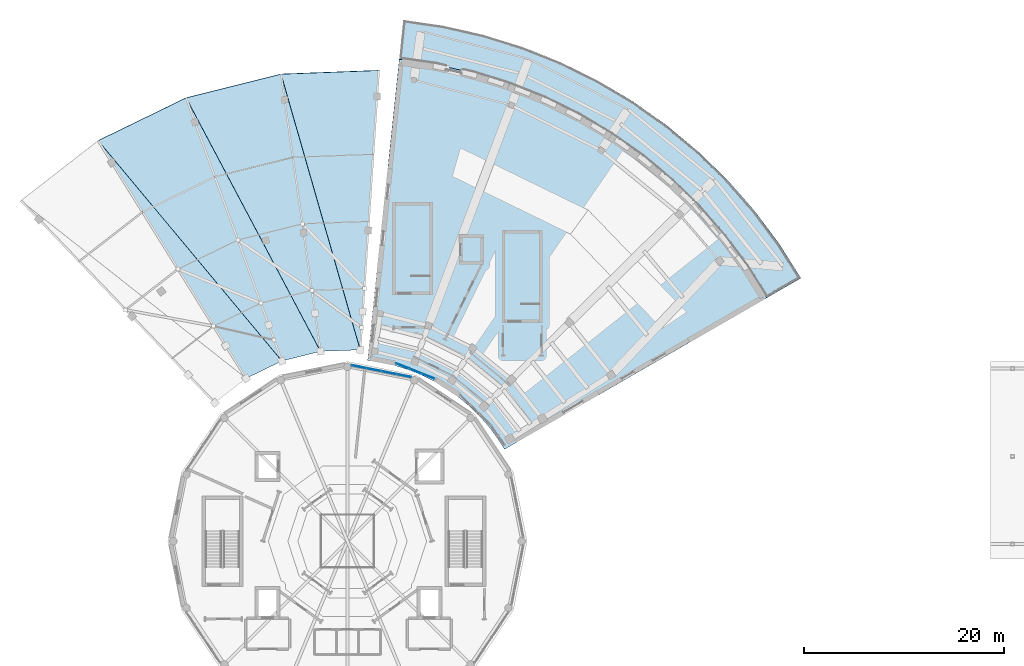
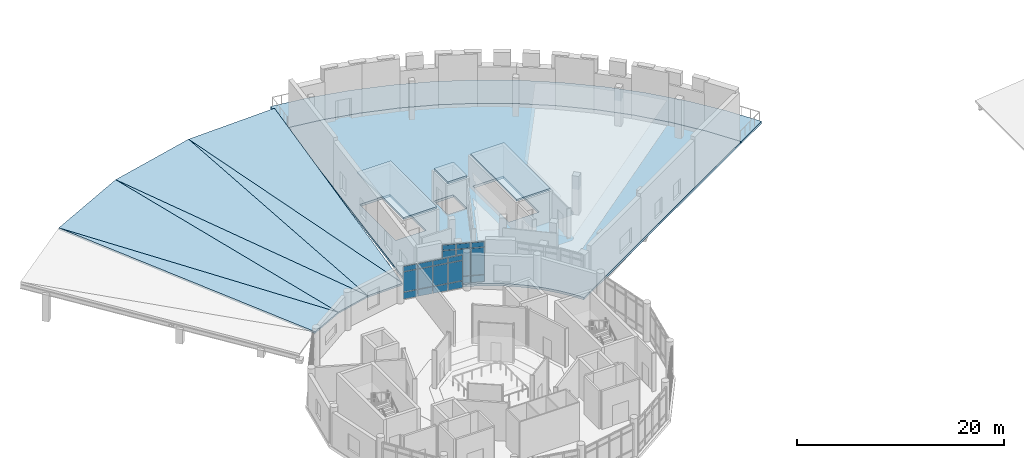
# One storey, part 18 of 27: 21 plates, 11 slabs, 2 elements without a shape of their own.
"""IFC4 building model written with IfcOpenShell, lengths in metres."""

import ifcopenshell
import ifcopenshell.guid

model = None  # the IFC model being written
_history = None  # IfcOwnerHistory: only IFC2X3 demands one
_inside = {}  # id of a spatial element -> (the spatial element, [elements in it])
_under = {}  # id of a project, library or spatial element -> (it, [spatial elements below it])
_declared = {}  # id of a project -> (the project, [libraries it declares])
_typed = {}  # id of a type object -> (the type object, [elements of that type])
_made_of = {}  # id of a material, layer set ... -> (it, [elements and type objects made of it])


def new_model(schema):
    """Start an empty IFC model of exactly this schema.

    Asked for "IFC4X3", IfcOpenShell would pick the latest addendum, in which some entities
    have other attributes; the version numbers below select the first issue.
    IFC2X3 requires an IfcOwnerHistory on every rooted entity: one is made here for all.
    """
    global model, _history
    if schema == "IFC4X3":
        model = ifcopenshell.file(schema_version=(4, 3, 0, 0))
    else:
        model = ifcopenshell.file(schema=schema)
    _inside.clear()
    _under.clear()
    _declared.clear()
    _typed.clear()
    _made_of.clear()
    _history = None
    if model.schema == "IFC2X3":
        org = make("IfcOrganization", Name="unknown")
        user = make(
            "IfcPersonAndOrganization",
            ThePerson=make("IfcPerson", FamilyName="unknown"),
            TheOrganization=org,
        )
        app = make(
            "IfcApplication",
            ApplicationDeveloper=org,
            Version="unknown",
            ApplicationFullName="unknown",
            ApplicationIdentifier="unknown",
        )
        _history = make(
            "IfcOwnerHistory",
            OwningUser=user,
            OwningApplication=app,
            ChangeAction="ADDED",
            CreationDate=0,
        )
    return model


def make(cls, **values):
    """One entity of the class cls with the attributes given. An attribute that is None is left unset."""
    return model.create_entity(
        cls, **{name: value for name, value in values.items() if value is not None}
    )


def rooted(cls, **values):
    """An entity with a GlobalId (a new one), such as an element, a storey or a relation."""
    return make(cls, GlobalId=ifcopenshell.guid.new(), OwnerHistory=_history, **values)


def si_unit(unit_type, name, prefix=None):
    """IfcSIUnit, for example si_unit("LENGTHUNIT", "METRE", prefix="MILLI")."""
    return make("IfcSIUnit", UnitType=unit_type, Prefix=prefix, Name=name)


def assignment(units):
    """IfcUnitAssignment: the units of a project."""
    return None if units is None else make("IfcUnitAssignment", Units=units)


def point(xyz):
    """IfcCartesianPoint."""
    return None if xyz is None else make("IfcCartesianPoint", Coordinates=xyz)


def direction(xyz):
    """IfcDirection."""
    return None if xyz is None else make("IfcDirection", DirectionRatios=xyz)


def frame(location, z_axis=None, x_axis=None):
    """IfcAxis2Placement3D, a coordinate frame: its origin and axes. An axis left out is left unset."""
    return make(
        "IfcAxis2Placement3D",
        Location=point(location),
        Axis=direction(z_axis),
        RefDirection=direction(x_axis),
    )


def frame_2d(location, x_axis=None):
    """IfcAxis2Placement2D, a coordinate frame in the plane: its origin and x axis."""
    return make(
        "IfcAxis2Placement2D", Location=point(location), RefDirection=direction(x_axis)
    )


def origin():
    """The frame at (0, 0, 0) with its axes left unset."""
    return frame((0.0, 0.0, 0.0))


def origin_2d():
    """The frame at (0, 0) in the plane with its x axis left unset."""
    return frame_2d((0.0, 0.0))


def place(relative_to, where):
    """IfcLocalPlacement: puts the frame where relative to a parent placement (None: the world)."""
    return make(
        "IfcLocalPlacement", PlacementRelTo=relative_to, RelativePlacement=where
    )


def context(
    kind, dimensions, precision=None, world=None, true_north=None, identifier=None
):
    """IfcGeometricRepresentationContext, for example the 3D "Model" context."""
    return make(
        "IfcGeometricRepresentationContext",
        ContextIdentifier=identifier,
        ContextType=kind,
        CoordinateSpaceDimension=dimensions,
        Precision=precision,
        WorldCoordinateSystem=world,
        TrueNorth=true_north,
    )


def subcontext(parent, identifier, kind, view, scale=None):
    """IfcGeometricRepresentationSubContext, for example "Body" below "Model"."""
    return make(
        "IfcGeometricRepresentationSubContext",
        ContextIdentifier=identifier,
        ContextType=kind,
        ParentContext=parent,
        TargetScale=scale,
        TargetView=view,
    )


def project(units=None, contexts=None):
    """IfcProject with its units and contexts."""
    return rooted(
        "IfcProject",
        Name="project",
        RepresentationContexts=contexts,
        UnitsInContext=assignment(units),
    )


def spatial(cls, under=None, at=None, **own):
    """A site, building, storey or space (cls), placed at a placement, below another one or the project."""
    s = rooted(cls, ObjectPlacement=at, **own)
    if under is not None:
        _under.setdefault(under.id(), (under, []))[1].append(s)
    return s


def polyline(points):
    """IfcPolyline through the points."""
    return make("IfcPolyline", Points=[point(p) for p in points])


def profile(cls, at=None, kind="AREA", **sizes):
    """A parametric profile (cls). Its sizes go by their IFC names, for example OverallWidth=200.0."""
    return make(cls, ProfileType=kind, Position=at, **sizes)


def rectangle(**sizes):
    """IfcRectangleProfileDef."""
    return profile("IfcRectangleProfileDef", **sizes)


def outline(outer, holes=None, kind="AREA"):
    """IfcArbitraryClosedProfileDef: a profile drawn as a closed curve; with holes, ...WithVoids."""
    if holes is None:
        return make("IfcArbitraryClosedProfileDef", ProfileType=kind, OuterCurve=outer)
    return make(
        "IfcArbitraryProfileDefWithVoids",
        ProfileType=kind,
        OuterCurve=outer,
        InnerCurves=holes,
    )


def extrude(swept, where, along, depth):
    """IfcExtrudedAreaSolid: the profile swept, set in the frame where, extruded along a direction by depth."""
    return make(
        "IfcExtrudedAreaSolid",
        SweptArea=swept,
        Position=where,
        ExtrudedDirection=direction(along),
        Depth=depth,
    )


def shape(context_of_items, identifier, shape_type, items):
    """IfcShapeRepresentation: the items that make up one representation, for example the "Body"."""
    return make(
        "IfcShapeRepresentation",
        ContextOfItems=context_of_items,
        RepresentationIdentifier=identifier,
        RepresentationType=shape_type,
        Items=items,
    )


def material(Name=None, Category=None):
    """IfcMaterial."""
    return make("IfcMaterial", Name=Name, Category=Category)


def layer(
    of_material, thickness, ventilated=None, Name=None, Category=None, Priority=None
):
    """IfcMaterialLayer: one layer of a wall or slab, of a material (None: an air gap)."""
    return make(
        "IfcMaterialLayer",
        Material=of_material,
        LayerThickness=thickness,
        IsVentilated=ventilated,
        Name=Name,
        Category=Category,
        Priority=Priority,
    )


def layer_set(layers, Name=None):
    """IfcMaterialLayerSet."""
    return make("IfcMaterialLayerSet", MaterialLayers=layers, LayerSetName=Name)


def made_of(thing, what):
    """Note that an element or type object is made of a material, layer set ...; save() writes the relation."""
    if what is not None:
        _made_of.setdefault(what.id(), (what, []))[1].append(thing)
    return thing


def type_object(cls, material=None, **own):
    """A type object (cls), such as IfcWallType, which elements share."""
    return made_of(rooted(cls, **own), material)


def element(
    cls,
    number,
    at=None,
    inside=None,
    cuts=None,
    type_object=None,
    material=None,
    context=None,
    identifier="Body",
    shape_type=None,
    held_by="IfcProductDefinitionShape",
    body=None,
    shapes=None,
    **own,
):
    """One element of the class cls, such as IfcWall. Its Tag is "e" and its number.

    at: its placement. inside: the storey or other place that contains it. cuts: it is an
    opening in that element (IfcRelVoidsElement). A single representation is given by context,
    identifier, shape_type and body (its items); several are given by shapes. held_by: the class
    of the entity that holds the representations. save() writes the other relations.
    """
    e = rooted(cls, Tag="e%d" % number, ObjectPlacement=at, **own)
    if body is not None:
        shapes = [shape(context, identifier, shape_type, body)]
    if shapes is not None:
        e.Representation = make(held_by, Representations=shapes)
    if inside is not None:
        _inside.setdefault(inside.id(), (inside, []))[1].append(e)
    if cuts is not None:
        rooted(
            "IfcRelVoidsElement", RelatingBuildingElement=cuts, RelatedOpeningElement=e
        )
    if type_object is not None:
        _typed.setdefault(type_object.id(), (type_object, []))[1].append(e)
    return made_of(e, material)


def aggregate(whole, parts):
    """IfcRelAggregates: a whole, such as a stair, and the parts it consists of."""
    return rooted("IfcRelAggregates", RelatingObject=whole, RelatedObjects=parts)


def save(model, path):
    """Write the relations noted so far, then the file.

    IfcRelAggregates (storeys below a building ...), IfcRelContainedInSpatialStructure (elements
    in a storey), IfcRelDefinesByType, IfcRelAssociatesMaterial and IfcRelDeclares: one each for
    every whole, place, type object, material and project.
    """
    for whole, parts in _under.values():
        aggregate(whole, parts)
    for where, things in _inside.values():
        rooted(
            "IfcRelContainedInSpatialStructure",
            RelatedElements=things,
            RelatingStructure=where,
        )
    for kind, things in _typed.values():
        rooted("IfcRelDefinesByType", RelatedObjects=things, RelatingType=kind)
    for what, things in _made_of.values():
        rooted("IfcRelAssociatesMaterial", RelatedObjects=things, RelatingMaterial=what)
    for by, libraries in _declared.values():
        rooted("IfcRelDeclares", RelatingContext=by, RelatedDefinitions=libraries)
    model.write(path)


model = new_model("IFC4")

# Units and contexts
model_context = context("Model", 3, precision=1e-05, world=origin(), true_north=direction((0.0, 1.0)))
body_context = subcontext(model_context, "Body", "Model", "MODEL_VIEW")
ifc_project = project(units=[si_unit("LENGTHUNIT", "METRE"), si_unit("AREAUNIT", "SQUARE_METRE"), si_unit("VOLUMEUNIT", "CUBIC_METRE"), si_unit("PLANEANGLEUNIT", "RADIAN"), si_unit("MASSUNIT", "GRAM", prefix="KILO")], contexts=[model_context])

# Site, building, storey
site_placement = place(None, origin())
site = spatial("IfcSite", under=ifc_project, at=site_placement, CompositionType="ELEMENT")
building_placement = place(site_placement, origin())
building = spatial("IfcBuilding", under=site, at=building_placement, Name="Soyqirgoq Riverine Aquarium", CompositionType="ELEMENT")
storey_placement = place(building_placement, frame((0.0, 0.0, 19.800048828125)))
storey = spatial("IfcBuildingStorey", under=building, at=storey_placement, Name="L05", CompositionType="ELEMENT", Elevation=19.800048828125)

# Curtain wall, plates
ifc_material_1 = material(Name="Anodised aluminium thermally broken triple low-E glazing", Category="aluminium")
curtain_wall_type_1 = type_object("IfcCurtainWallType", Name="CW_DrumGallery_Unitised", PredefinedType="NOTDEFINED", material=ifc_material_1)
curtain_wall_1_placement = place(storey_placement, origin())
curtain_wall_1 = element("IfcCurtainWall", 1, at=curtain_wall_1_placement, inside=storey, type_object=curtain_wall_type_1, Name="V1 L05 Curtain Wall 016", PredefinedType="NOTDEFINED")
ifc_material_2 = material(Name="Triple insulated laminated low-E glass", Category="glass")
ifc_layer_1 = layer(ifc_material_2, 0.0458984375)
ifc_layer_set_1 = layer_set([ifc_layer_1], Name="Triple insulated laminated low-E glass")
plate_type_1 = type_object("IfcPlateType", Name="CWGlazedPanel_46", PredefinedType="CURTAIN_PANEL", material=ifc_layer_set_1)
plate_1_placement = place(storey_placement, frame((61.6474609375, 73.57666015625, 0.074951171875), z_axis=(0.0, 0.0, 1.0), x_axis=(-0.980787663396, 0.19507834152, 0.0)))
plate_1 = element("IfcPlate", 2, at=plate_1_placement, type_object=plate_type_1, Name="CW-01 panel 1.1", PredefinedType="CURTAIN_PANEL", context=body_context, shape_type="SweptSolid", body=[
    extrude(rectangle(XDim=1.449951171875, YDim=0.0458984375, at=origin_2d()), origin(), (0.0, 0.0, 1.0), 0.78759765625),
])
plate_2_placement = place(storey_placement, frame((61.6474609375, 73.57666015625, 0.9375), z_axis=(0.0, 0.0, 1.0), x_axis=(-0.980787663396, 0.19507834152, 0.0)))
plate_2 = element("IfcPlate", 3, at=plate_2_placement, type_object=plate_type_1, Name="CW-01 panel 1.2", PredefinedType="CURTAIN_PANEL", context=body_context, shape_type="SweptSolid", body=[
    extrude(rectangle(XDim=1.449951171875, YDim=0.0458984375, at=origin_2d()), origin(), (0.0, 0.0, 1.0), 2.324951171875),
])
plate_3_placement = place(storey_placement, frame((61.6474609375, 73.57666015625, 3.33740234375), z_axis=(0.0, 0.0, 1.0), x_axis=(-0.980787663396, 0.19507834152, 0.0)))
plate_3 = element("IfcPlate", 4, at=plate_3_placement, type_object=plate_type_1, Name="CW-01 panel 1.3", PredefinedType="CURTAIN_PANEL", context=body_context, shape_type="SweptSolid", body=[
    extrude(rectangle(XDim=1.449951171875, YDim=0.0458984375, at=origin_2d()), origin(), (0.0, 0.0, 1.0), 0.58740234375),
])
plate_4_placement = place(storey_placement, frame((60.1455078125, 73.87548828125, 0.074951171875), z_axis=(0.0, 0.0, 1.0), x_axis=(-0.980787663396, 0.19507834152, 0.0)))
plate_4 = element("IfcPlate", 5, at=plate_4_placement, type_object=plate_type_1, Name="CW-01 panel 2.1", PredefinedType="CURTAIN_PANEL", context=body_context, shape_type="SweptSolid", body=[
    extrude(rectangle(XDim=1.482421875, YDim=0.0458984375, at=origin_2d()), origin(), (0.0, 0.0, 1.0), 0.78759765625),
])
plate_5_placement = place(storey_placement, frame((60.1455078125, 73.87548828125, 0.9375), z_axis=(0.0, 0.0, 1.0), x_axis=(-0.980787663396, 0.19507834152, 0.0)))
plate_5 = element("IfcPlate", 6, at=plate_5_placement, type_object=plate_type_1, Name="CW-01 panel 2.2", PredefinedType="CURTAIN_PANEL", context=body_context, shape_type="SweptSolid", body=[
    extrude(rectangle(XDim=1.482421875, YDim=0.0458984375, at=origin_2d()), origin(), (0.0, 0.0, 1.0), 2.324951171875),
])
plate_6_placement = place(storey_placement, frame((60.1455078125, 73.87548828125, 3.33740234375), z_axis=(0.0, 0.0, 1.0), x_axis=(-0.980787663396, 0.19507834152, 0.0)))
plate_6 = element("IfcPlate", 7, at=plate_6_placement, type_object=plate_type_1, Name="CW-01 panel 2.3", PredefinedType="CURTAIN_PANEL", context=body_context, shape_type="SweptSolid", body=[
    extrude(rectangle(XDim=1.482421875, YDim=0.0458984375, at=origin_2d()), origin(), (0.0, 0.0, 1.0), 0.58740234375),
])
plate_7_placement = place(storey_placement, frame((58.6279296875, 74.17724609375, 0.074951171875), z_axis=(0.0, 0.0, 1.0), x_axis=(-0.980787663396, 0.19507834152, 0.0)))
plate_7 = element("IfcPlate", 8, at=plate_7_placement, type_object=plate_type_1, Name="CW-01 panel 3.1", PredefinedType="CURTAIN_PANEL", context=body_context, shape_type="SweptSolid", body=[
    extrude(rectangle(XDim=1.482421875, YDim=0.0458984375, at=origin_2d()), origin(), (0.0, 0.0, 1.0), 0.78759765625),
])
plate_8_placement = place(storey_placement, frame((58.6279296875, 74.17724609375, 0.9375), z_axis=(0.0, 0.0, 1.0), x_axis=(-0.980787663396, 0.19507834152, 0.0)))
plate_8 = element("IfcPlate", 9, at=plate_8_placement, type_object=plate_type_1, Name="CW-01 panel 3.2", PredefinedType="CURTAIN_PANEL", context=body_context, shape_type="SweptSolid", body=[
    extrude(rectangle(XDim=1.482421875, YDim=0.0458984375, at=origin_2d()), origin(), (0.0, 0.0, 1.0), 2.324951171875),
])
plate_9_placement = place(storey_placement, frame((58.6279296875, 74.17724609375, 3.33740234375), z_axis=(0.0, 0.0, 1.0), x_axis=(-0.980787663396, 0.19507834152, 0.0)))
plate_9 = element("IfcPlate", 10, at=plate_9_placement, type_object=plate_type_1, Name="CW-01 panel 3.3", PredefinedType="CURTAIN_PANEL", context=body_context, shape_type="SweptSolid", body=[
    extrude(rectangle(XDim=1.482421875, YDim=0.0458984375, at=origin_2d()), origin(), (0.0, 0.0, 1.0), 0.58740234375),
])
plate_10_placement = place(storey_placement, frame((57.126220703125, 74.47607421875, 0.074951171875), z_axis=(0.0, 0.0, 1.0), x_axis=(-0.980787663396, 0.19507834152, 0.0)))
plate_10 = element("IfcPlate", 11, at=plate_10_placement, type_object=plate_type_1, Name="CW-01 panel 4.1", PredefinedType="CURTAIN_PANEL", context=body_context, shape_type="SweptSolid", body=[
    extrude(rectangle(XDim=1.449951171875, YDim=0.0458984375, at=origin_2d()), origin(), (0.0, 0.0, 1.0), 0.78759765625),
])
plate_11_placement = place(storey_placement, frame((57.126220703125, 74.47607421875, 0.9375), z_axis=(0.0, 0.0, 1.0), x_axis=(-0.980787663396, 0.19507834152, 0.0)))
plate_11 = element("IfcPlate", 12, at=plate_11_placement, type_object=plate_type_1, Name="CW-01 panel 4.2", PredefinedType="CURTAIN_PANEL", context=body_context, shape_type="SweptSolid", body=[
    extrude(rectangle(XDim=1.449951171875, YDim=0.0458984375, at=origin_2d()), origin(), (0.0, 0.0, 1.0), 2.324951171875),
])
plate_12_placement = place(storey_placement, frame((57.126220703125, 74.47607421875, 3.33740234375), z_axis=(0.0, 0.0, 1.0), x_axis=(-0.980787663396, 0.19507834152, 0.0)))
plate_12 = element("IfcPlate", 13, at=plate_12_placement, type_object=plate_type_1, Name="CW-01 panel 4.3", PredefinedType="CURTAIN_PANEL", context=body_context, shape_type="SweptSolid", body=[
    extrude(rectangle(XDim=1.449951171875, YDim=0.0458984375, at=origin_2d()), origin(), (0.0, 0.0, 1.0), 0.58740234375),
])
aggregate(curtain_wall_1, [plate_1, plate_2, plate_3, plate_4, plate_5, plate_6, plate_7, plate_8, plate_9, plate_10, plate_11, plate_12])

ifc_material_3 = material(Name="Anodised aluminium thermally broken double low-E glazing", Category="aluminium")
curtain_wall_type_2 = type_object("IfcCurtainWallType", Name="CW_Wedge_NorthBay", PredefinedType="NOTDEFINED", material=ifc_material_3)
curtain_wall_2_placement = place(storey_placement, origin())
curtain_wall_2 = element("IfcCurtainWall", 14, at=curtain_wall_2_placement, inside=storey, type_object=curtain_wall_type_2, Name="V5 L05 Curtain Wall 102", PredefinedType="NOTDEFINED")
ifc_material_4 = material(Name="Insulated shadow-box aluminium spandrel panel", Category="aluminium")
ifc_layer_2 = layer(ifc_material_4, 0.06005859375)
ifc_layer_set_2 = layer_set([ifc_layer_2], Name="Insulated shadow-box aluminium spandrel panel")
plate_type_2 = type_object("IfcPlateType", Name="CWSpandrelPanel_60", PredefinedType="CURTAIN_PANEL", material=ifc_layer_set_2)
plate_13_placement = place(storey_placement, frame((64.09765625, 73.517333984375, 0.074951171875), z_axis=(0.0, 0.0, 1.0), x_axis=(-0.928804825752, 0.37056928591, 0.0)))
plate_13 = element("IfcPlate", 15, at=plate_13_placement, type_object=plate_type_2, Name="CW-03 panel 1.1", PredefinedType="CURTAIN_PANEL", context=body_context, shape_type="SweptSolid", body=[
    extrude(rectangle(XDim=1.300537109375, YDim=0.06005859375, at=origin_2d()), origin(), (0.0, 0.0, 1.0), 0.78759765625),
])
plate_14_placement = place(storey_placement, frame((64.09765625, 73.517333984375, 0.9375), z_axis=(0.0, 0.0, 1.0), x_axis=(-0.928804825752, 0.37056928591, 0.0)))
plate_14 = element("IfcPlate", 16, at=plate_14_placement, type_object=plate_type_2, Name="CW-03 panel 1.2", PredefinedType="CURTAIN_PANEL", context=body_context, shape_type="SweptSolid", body=[
    extrude(rectangle(XDim=1.300537109375, YDim=0.06005859375, at=origin_2d()), origin(), (0.0, 0.0, 1.0), 3.1650390625),
])
plate_15_placement = place(storey_placement, frame((64.09765625, 73.517333984375, 4.177490234375), z_axis=(0.0, 0.0, 1.0), x_axis=(-0.928804825752, 0.37056928591, 0.0)))
plate_15 = element("IfcPlate", 17, at=plate_15_placement, type_object=plate_type_2, Name="CW-03 panel 1.3", PredefinedType="CURTAIN_PANEL", context=body_context, shape_type="SweptSolid", body=[
    extrude(rectangle(XDim=1.300537109375, YDim=0.06005859375, at=origin_2d()), origin(), (0.0, 0.0, 1.0), 0.58740234375),
])
plate_16_placement = place(storey_placement, frame((62.796875, 74.036376953125, 0.074951171875), z_axis=(0.0, 0.0, 1.0), x_axis=(-0.928804825752, 0.37056928591, 0.0)))
plate_16 = element("IfcPlate", 18, at=plate_16_placement, type_object=plate_type_2, Name="CW-03 panel 2.1", PredefinedType="CURTAIN_PANEL", context=body_context, shape_type="SweptSolid", body=[
    extrude(rectangle(XDim=1.340576171875, YDim=0.06005859375, at=origin_2d()), origin(), (0.0, 0.0, 1.0), 0.78759765625),
])
plate_17_placement = place(storey_placement, frame((62.796875, 74.036376953125, 0.9375), z_axis=(0.0, 0.0, 1.0), x_axis=(-0.928804825752, 0.37056928591, 0.0)))
plate_17 = element("IfcPlate", 19, at=plate_17_placement, type_object=plate_type_2, Name="CW-03 panel 2.2", PredefinedType="CURTAIN_PANEL", context=body_context, shape_type="SweptSolid", body=[
    extrude(rectangle(XDim=1.340576171875, YDim=0.06005859375, at=origin_2d()), origin(), (0.0, 0.0, 1.0), 3.1650390625),
])
plate_18_placement = place(storey_placement, frame((62.796875, 74.036376953125, 4.177490234375), z_axis=(0.0, 0.0, 1.0), x_axis=(-0.928804825752, 0.37056928591, 0.0)))
plate_18 = element("IfcPlate", 20, at=plate_18_placement, type_object=plate_type_2, Name="CW-03 panel 2.3", PredefinedType="CURTAIN_PANEL", context=body_context, shape_type="SweptSolid", body=[
    extrude(rectangle(XDim=1.340576171875, YDim=0.06005859375, at=origin_2d()), origin(), (0.0, 0.0, 1.0), 0.58740234375),
])
plate_19_placement = place(storey_placement, frame((61.495849609375, 74.555419921875, 0.074951171875), z_axis=(0.0, 0.0, 1.0), x_axis=(-0.928804825752, 0.37056928591, 0.0)))
plate_19 = element("IfcPlate", 21, at=plate_19_placement, type_object=plate_type_2, Name="CW-03 panel 3.1", PredefinedType="CURTAIN_PANEL", context=body_context, shape_type="SweptSolid", body=[
    extrude(rectangle(XDim=1.300537109375, YDim=0.06005859375, at=origin_2d()), origin(), (0.0, 0.0, 1.0), 0.78759765625),
])
plate_20_placement = place(storey_placement, frame((61.495849609375, 74.555419921875, 0.9375), z_axis=(0.0, 0.0, 1.0), x_axis=(-0.928804825752, 0.37056928591, 0.0)))
plate_20 = element("IfcPlate", 22, at=plate_20_placement, type_object=plate_type_2, Name="CW-03 panel 3.2", PredefinedType="CURTAIN_PANEL", context=body_context, shape_type="SweptSolid", body=[
    extrude(rectangle(XDim=1.300537109375, YDim=0.06005859375, at=origin_2d()), origin(), (0.0, 0.0, 1.0), 3.1650390625),
])
plate_21_placement = place(storey_placement, frame((61.495849609375, 74.555419921875, 4.177490234375), z_axis=(0.0, 0.0, 1.0), x_axis=(-0.928804825752, 0.37056928591, 0.0)))
plate_21 = element("IfcPlate", 23, at=plate_21_placement, type_object=plate_type_2, Name="CW-03 panel 3.3", PredefinedType="CURTAIN_PANEL", context=body_context, shape_type="SweptSolid", body=[
    extrude(rectangle(XDim=1.300537109375, YDim=0.06005859375, at=origin_2d()), origin(), (0.0, 0.0, 1.0), 0.58740234375),
])
aggregate(curtain_wall_2, [plate_13, plate_14, plate_15, plate_16, plate_17, plate_18, plate_19, plate_20, plate_21])

# Slabs
ifc_material_5 = material(Name="Concrete C35/45", Category="concrete")
ifc_layer_3 = layer(ifc_material_5, 0.25)
ifc_layer_set_3 = layer_set([ifc_layer_3], Name="Concrete C35/45")
slab_type_1 = type_object("IfcSlabType", Name="FloorSlab_250_C35", PredefinedType="FLOOR", material=ifc_layer_set_3)
slab_1_placement = place(storey_placement, frame((0.0, 0.0, 3.599853515625)))
element("IfcSlab", 24, at=slab_1_placement, inside=storey, type_object=slab_type_1, Name="Lift PL-5 Shaft Overrun Cap Slab", PredefinedType="FLOOR", context=body_context, shape_type="SweptSolid", body=[
    extrude(outline(polyline([(67.320068359375, 84.8701171875), (69.47998046875, 84.8701171875), (69.47998046875, 87.530029296875), (67.320068359375, 87.530029296875), (67.320068359375, 84.8701171875)])), origin(), (0.0, 0.0, 1.0), 0.25),
])
ifc_material_6 = material(Name="Concrete C35/45", Category="concrete")
ifc_layer_4 = layer(ifc_material_6, 0.280029296875)
ifc_layer_set_4 = layer_set([ifc_layer_4], Name="Concrete C35/45")
slab_type_2 = type_object("IfcSlabType", Name="FloorSlab_280_C35", PredefinedType="FLOOR", material=ifc_layer_set_4)
slab_2_placement = place(storey_placement, frame((0.0, 0.0, -0.280029296875)))
element("IfcSlab", 25, at=slab_2_placement, inside=storey, type_object=slab_type_2, Name="V5 L05 Suspended Floor Slab", PredefinedType="FLOOR", context=body_context, shape_type="SweptSolid", body=[
    extrude(outline(polyline([(70.15966796875, 68.46630859375), (71.015625, 67.31982421875), (71.72021484375, 66.203125), (97.98681640625, 81.3681640625), (96.01123046875, 84.4990234375), (93.73046875, 87.553466796875), (91.216796875, 90.419677734375), (88.486328125, 93.07958984375), (85.555419921875, 95.517333984375), (82.442138671875, 97.717529296875), (79.166015625, 99.66650390625), (75.7470703125, 101.3525390625), (72.206298828125, 102.76513671875), (68.565673828125, 103.895751953125), (64.847412109375, 104.737060546875), (61.183837890625, 105.268310546875), (58.013427734375, 75.1044921875), (59.3203125, 74.914794921875), (60.7158203125, 74.59912109375), (62.08203125, 74.1748046875), (62.8837890625, 73.85498046875), (62.97412109375, 73.8369140625), (63.041259765625, 73.792236328125), (63.41064453125, 73.644775390625), (64.69384765625, 73.011962890625), (65.92333984375, 72.280517578125), (67.091552734375, 71.454833984375), (68.191650390625, 70.5400390625), (68.81005859375, 69.9375), (68.886474609375, 69.886474609375), (68.931396484375, 69.8193359375), (69.21630859375, 69.541748046875), (70.15966796875, 68.46630859375)]), holes=[polyline([(64.199951171875, 83.625), (64.199951171875, 90.60009765625), (60.800048828125, 90.60009765625), (60.800048828125, 83.625), (64.199951171875, 83.625)]), polyline([(67.35009765625, 84.89990234375), (69.449951171875, 84.89990234375), (69.449951171875, 87.5), (67.35009765625, 87.5), (67.35009765625, 84.89990234375)]), polyline([(75.199951171875, 80.824951171875), (75.199951171875, 87.800048828125), (71.800048828125, 87.800048828125), (71.800048828125, 80.824951171875), (75.199951171875, 80.824951171875)])]), origin(), (0.0, 0.0, 1.0), 0.280029296875),
])
ifc_material_7 = material(Name="Concrete C35/45", Category="concrete")
ifc_layer_5 = layer(ifc_material_7, 0.199951171875)
ifc_layer_set_5 = layer_set([ifc_layer_5], Name="Concrete C35/45")
slab_type_3 = type_object("IfcSlabType", Name="PrairieRoof_200_C35", PredefinedType="ROOF", material=ifc_layer_set_5)
slab_3_placement = place(storey_placement, frame((53.294677734375, 76.008544921875, 0.719970703125), z_axis=(0.025933186978, -0.10361561999, 0.994279273196), x_axis=(-0.140098717134, 0.984421100683, 0.106242392608)))
element("IfcSlab", 26, at=slab_3_placement, inside=storey, type_object=slab_type_3, Name="V4 Sloped Prairie Roof Panel 02A", PredefinedType="ROOF", context=body_context, shape_type="SweptSolid", body=[
    extrude(outline(polyline([(0.0, 0.0), (28.209740376961342, 2.706168622523819e-16), (27.19972380051469, 9.743839653593685), (0.0, 0.0)])), origin(), (0.0, 0.0, -1.0), 0.199951171875),
])
slab_4_placement = place(storey_placement, frame((53.294677734375, 76.008544921875, 0.719970703125), z_axis=(0.025934808141, -0.103614766447, 0.99427931986), x_axis=(-0.465697050422, 0.878843477449, 0.103732344879)))
element("IfcSlab", 27, at=slab_4_placement, inside=storey, type_object=slab_type_3, Name="V4 Sloped Prairie Roof Panel 02B", PredefinedType="ROOF", context=body_context, shape_type="SweptSolid", body=[
    extrude(outline(polyline([(0.0, 0.0), (28.89234130386857, 9.298117831235686e-16), (0.9488742478776988, 3.8659542434807106), (0.0, 0.0)])), origin(), (0.0, 0.0, -1.0), 0.199951171875),
])
ifc_material_8 = material(Name="Concrete C35/45", Category="concrete")
ifc_layer_6 = layer(ifc_material_8, 0.219970703125)
ifc_layer_set_6 = layer_set([ifc_layer_6], Name="Concrete C35/45")
slab_type_4 = type_object("IfcSlabType", Name="PrairieRoof_220_C35", PredefinedType="ROOF", material=ifc_layer_set_6)
slab_5_placement = place(storey_placement, frame((49.43310546875, 75.0419921875, 0.719970703125), z_axis=(0.046737277104, -0.096043414059, 0.994279281462), x_axis=(-0.340079167837, 0.934376059965, 0.106242826425)))
element("IfcSlab", 28, at=slab_5_placement, inside=storey, type_object=slab_type_4, Name="V4 Sloped Prairie Roof Panel 03A", PredefinedType="ROOF", context=body_context, shape_type="SweptSolid", body=[
    extrude(outline(polyline([(0.0, 0.0), (28.209625189320285, -1.5751289161869408e-15), (27.200073385505288, 9.743759817476604), (0.0, 0.0)])), origin(), (0.0, 0.0, -1.0), 0.219970703125),
])
slab_6_placement = place(storey_placement, frame((49.43310546875, 75.0419921875, 0.719970703125), z_axis=(0.04673753146, -0.09604320314, 0.99427928988), x_axis=(-0.636904528249, 0.7639322271, 0.103731259967)))
element("IfcSlab", 29, at=slab_6_placement, inside=storey, type_object=slab_type_4, Name="V4 Sloped Prairie Roof Panel 03B", PredefinedType="ROOF", context=body_context, shape_type="SweptSolid", body=[
    extrude(outline(polyline([(0.0, 0.0), (28.892643485107847, 1.817990202823694e-15), (0.9490058291019958, 3.865601130434274), (0.0, 0.0)])), origin(), (0.0, 0.0, -1.0), 0.219970703125),
])
slab_7_placement = place(storey_placement, frame((0.0, 0.0, 3.599853515625)))
element("IfcSlab", 30, at=slab_7_placement, inside=storey, type_object=slab_type_4, Name="CORE-5A L05 Stairwell Overrun Roof Slab", PredefinedType="ROOF", context=body_context, shape_type="SweptSolid", body=[
    extrude(outline(polyline([(64.375, 81.824951171875), (64.375, 90.77490234375), (60.625, 90.77490234375), (60.625, 81.824951171875), (64.375, 81.824951171875)])), origin(), (0.0, 0.0, 1.0), 0.22021484375),
])
slab_8_placement = place(storey_placement, frame((0.0, 0.0, 3.599853515625)))
element("IfcSlab", 31, at=slab_8_placement, inside=storey, type_object=slab_type_4, Name="CORE-5B L05 Stairwell Overrun Roof Slab", PredefinedType="ROOF", context=body_context, shape_type="SweptSolid", body=[
    extrude(outline(polyline([(75.375, 79.02490234375), (75.375, 87.97509765625), (71.625, 87.97509765625), (71.625, 79.02490234375), (75.375, 79.02490234375)])), origin(), (0.0, 0.0, 1.0), 0.22021484375),
])
ifc_material_9 = material(Name="Concrete C35/45", Category="concrete")
ifc_layer_7 = layer(ifc_material_9, 0.239990234375)
ifc_layer_set_7 = layer_set([ifc_layer_7], Name="Concrete C35/45")
slab_type_5 = type_object("IfcSlabType", Name="PrairieRoof_240_C35", PredefinedType="ROOF", material=ifc_layer_set_7)
slab_9_placement = place(storey_placement, frame((57.2724609375, 76.15771484375, 0.719970703125), z_axis=(0.004003778519, -0.1067363695, 0.994279295361), x_axis=(0.065895526064, 0.992154335172, 0.106242904907)))
element("IfcSlab", 32, at=slab_9_placement, inside=storey, type_object=slab_type_5, Name="V4 Sloped Prairie Roof Panel 01A", PredefinedType="ROOF", context=body_context, shape_type="SweptSolid", body=[
    extrude(outline(polyline([(0.0, 0.0), (28.209604350651844, -2.0816681711721685e-16), (27.200258345367487, 9.743562601769941), (0.0, 0.0)])), origin(), (0.0, 0.0, -1.0), 0.239990234375),
])
slab_10_placement = place(storey_placement, frame((57.2724609375, 76.15771484375, 0.719970703125), z_axis=(0.004002707164, -0.106736674004, 0.994279266986), x_axis=(-0.274460940486, 0.955986975858, 0.1037308736)))
element("IfcSlab", 33, at=slab_10_placement, inside=storey, type_object=slab_type_5, Name="V4 Sloped Prairie Roof Panel 01B", PredefinedType="ROOF", context=body_context, shape_type="SweptSolid", body=[
    extrude(outline(polyline([(0.0, 0.0), (28.89275110177886, -1.3877787807814457e-15), (0.9491416164772785, 3.8657652629882326), (0.0, 0.0)])), origin(), (0.0, 0.0, -1.0), 0.239990234375),
])
ifc_material_10 = material(Name="Concrete C40/50", Category="concrete")
ifc_layer_8 = layer(ifc_material_10, 0.280029296875)
ifc_layer_set_8 = layer_set([ifc_layer_8], Name="Concrete C40/50")
slab_type_6 = type_object("IfcSlabType", Name="TerraceSlab_280_C40", PredefinedType="FLOOR", material=ifc_layer_set_8)
slab_11_placement = place(storey_placement, frame((0.0, 0.0, -0.280029296875)))
element("IfcSlab", 34, at=slab_11_placement, inside=storey, type_object=slab_type_6, Name="V5 L05 Planted Roof Garden Terrace Slab", PredefinedType="FLOOR", context=body_context, shape_type="SweptSolid", body=[
    extrude(outline(polyline([(93.73046875, 87.553466796875), (96.01123046875, 84.4990234375), (97.98681640625, 81.3681640625), (101.40771484375, 83.343017578125), (99.2666015625, 86.736328125), (96.80029296875, 90.039306640625), (94.082275390625, 93.138671875), (91.12939453125, 96.01513671875), (87.9599609375, 98.651123046875), (84.593505859375, 101.0302734375), (81.05078125, 103.137939453125), (77.353759765625, 104.961181640625), (73.52490234375, 106.48876953125), (69.587890625, 107.711181640625), (65.5673828125, 108.620849609375), (61.5966796875, 109.196533203125), (61.183837890625, 105.268310546875), (64.847412109375, 104.737060546875), (68.565673828125, 103.895751953125), (72.206298828125, 102.76513671875), (75.7470703125, 101.3525390625), (79.166015625, 99.66650390625), (82.442138671875, 97.717529296875), (85.555419921875, 95.517333984375), (88.486328125, 93.07958984375), (91.216796875, 90.419677734375), (93.73046875, 87.553466796875)])), origin(), (0.0, 0.0, 1.0), 0.280029296875),
])

save(model, "model.ifc")
